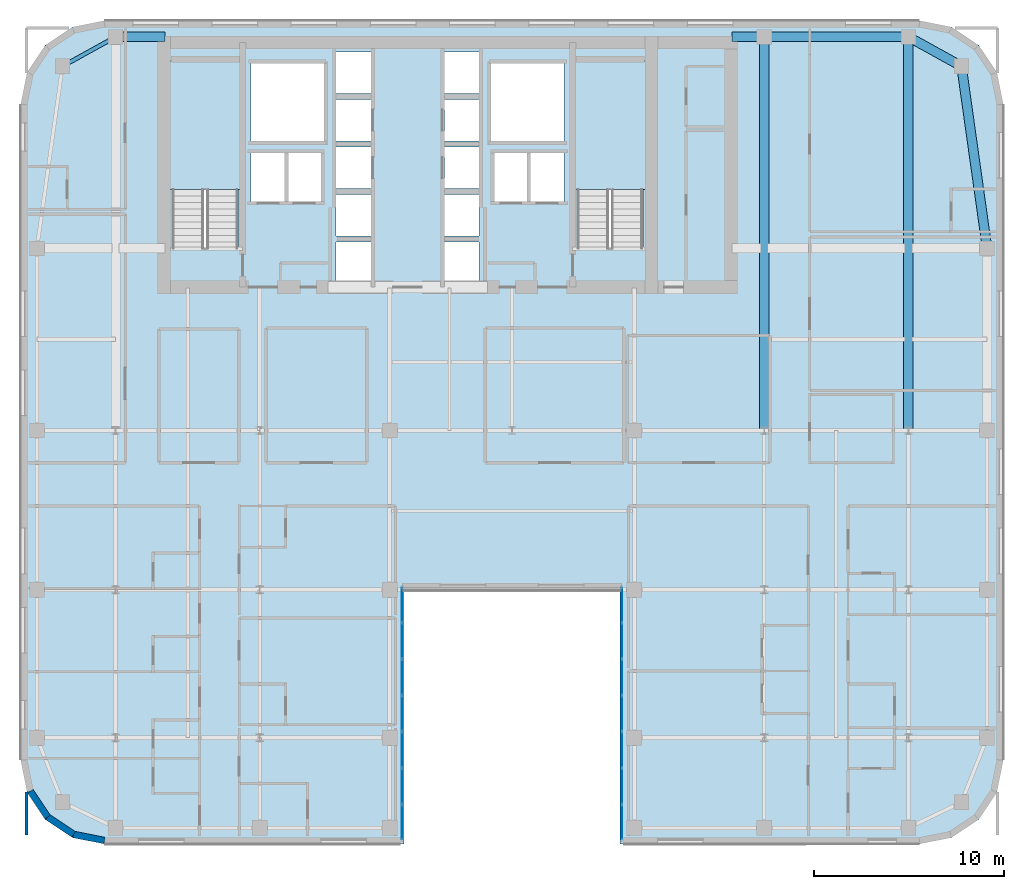
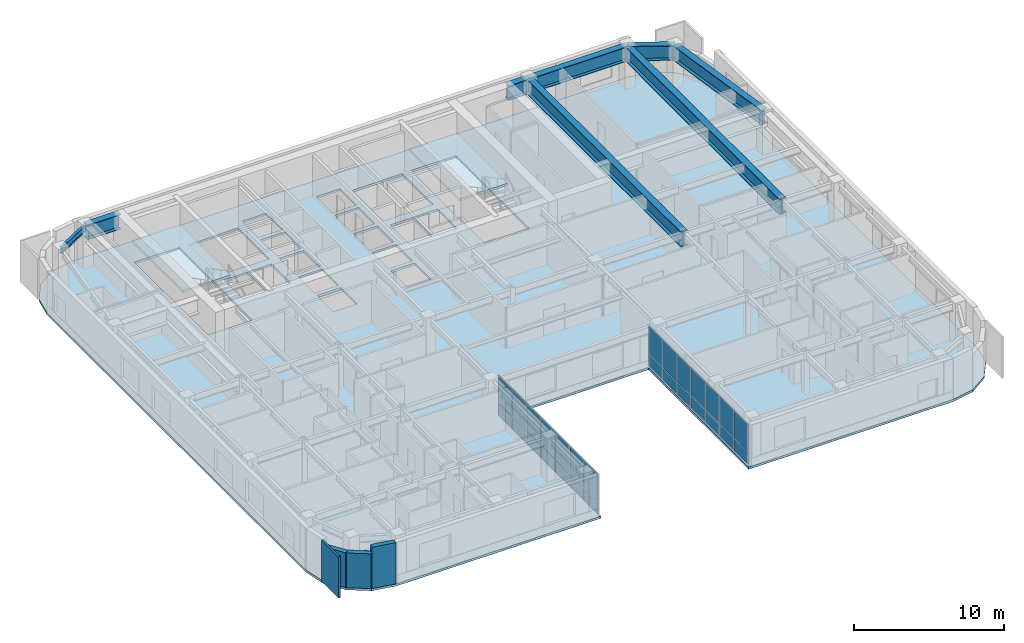
# One storey, part 8 of 20: 28 plates, 8 beams, 4 walls, 3 slabs, 4 elements without a shape of their own.
"""IFC4 building model written with IfcOpenShell, lengths in metres."""

import ifcopenshell
import ifcopenshell.guid

model = None  # the IFC model being written
_history = None  # IfcOwnerHistory: only IFC2X3 demands one
_inside = {}  # id of a spatial element -> (the spatial element, [elements in it])
_under = {}  # id of a project, library or spatial element -> (it, [spatial elements below it])
_declared = {}  # id of a project -> (the project, [libraries it declares])
_typed = {}  # id of a type object -> (the type object, [elements of that type])
_made_of = {}  # id of a material, layer set ... -> (it, [elements and type objects made of it])


def new_model(schema):
    """Start an empty IFC model of exactly this schema.

    Asked for "IFC4X3", IfcOpenShell would pick the latest addendum, in which some entities
    have other attributes; the version numbers below select the first issue.
    IFC2X3 requires an IfcOwnerHistory on every rooted entity: one is made here for all.
    """
    global model, _history
    if schema == "IFC4X3":
        model = ifcopenshell.file(schema_version=(4, 3, 0, 0))
    else:
        model = ifcopenshell.file(schema=schema)
    _inside.clear()
    _under.clear()
    _declared.clear()
    _typed.clear()
    _made_of.clear()
    _history = None
    if model.schema == "IFC2X3":
        org = make("IfcOrganization", Name="unknown")
        user = make(
            "IfcPersonAndOrganization",
            ThePerson=make("IfcPerson", FamilyName="unknown"),
            TheOrganization=org,
        )
        app = make(
            "IfcApplication",
            ApplicationDeveloper=org,
            Version="unknown",
            ApplicationFullName="unknown",
            ApplicationIdentifier="unknown",
        )
        _history = make(
            "IfcOwnerHistory",
            OwningUser=user,
            OwningApplication=app,
            ChangeAction="ADDED",
            CreationDate=0,
        )
    return model


def make(cls, **values):
    """One entity of the class cls with the attributes given. An attribute that is None is left unset."""
    return model.create_entity(
        cls, **{name: value for name, value in values.items() if value is not None}
    )


def rooted(cls, **values):
    """An entity with a GlobalId (a new one), such as an element, a storey or a relation."""
    return make(cls, GlobalId=ifcopenshell.guid.new(), OwnerHistory=_history, **values)


def si_unit(unit_type, name, prefix=None):
    """IfcSIUnit, for example si_unit("LENGTHUNIT", "METRE", prefix="MILLI")."""
    return make("IfcSIUnit", UnitType=unit_type, Prefix=prefix, Name=name)


def assignment(units):
    """IfcUnitAssignment: the units of a project."""
    return None if units is None else make("IfcUnitAssignment", Units=units)


def point(xyz):
    """IfcCartesianPoint."""
    return None if xyz is None else make("IfcCartesianPoint", Coordinates=xyz)


def direction(xyz):
    """IfcDirection."""
    return None if xyz is None else make("IfcDirection", DirectionRatios=xyz)


def frame(location, z_axis=None, x_axis=None):
    """IfcAxis2Placement3D, a coordinate frame: its origin and axes. An axis left out is left unset."""
    return make(
        "IfcAxis2Placement3D",
        Location=point(location),
        Axis=direction(z_axis),
        RefDirection=direction(x_axis),
    )


def frame_2d(location, x_axis=None):
    """IfcAxis2Placement2D, a coordinate frame in the plane: its origin and x axis."""
    return make(
        "IfcAxis2Placement2D", Location=point(location), RefDirection=direction(x_axis)
    )


def origin():
    """The frame at (0, 0, 0) with its axes left unset."""
    return frame((0.0, 0.0, 0.0))


def origin_2d():
    """The frame at (0, 0) in the plane with its x axis left unset."""
    return frame_2d((0.0, 0.0))


def place(relative_to, where):
    """IfcLocalPlacement: puts the frame where relative to a parent placement (None: the world)."""
    return make(
        "IfcLocalPlacement", PlacementRelTo=relative_to, RelativePlacement=where
    )


def context(
    kind, dimensions, precision=None, world=None, true_north=None, identifier=None
):
    """IfcGeometricRepresentationContext, for example the 3D "Model" context."""
    return make(
        "IfcGeometricRepresentationContext",
        ContextIdentifier=identifier,
        ContextType=kind,
        CoordinateSpaceDimension=dimensions,
        Precision=precision,
        WorldCoordinateSystem=world,
        TrueNorth=true_north,
    )


def subcontext(parent, identifier, kind, view, scale=None):
    """IfcGeometricRepresentationSubContext, for example "Body" below "Model"."""
    return make(
        "IfcGeometricRepresentationSubContext",
        ContextIdentifier=identifier,
        ContextType=kind,
        ParentContext=parent,
        TargetScale=scale,
        TargetView=view,
    )


def project(units=None, contexts=None):
    """IfcProject with its units and contexts."""
    return rooted(
        "IfcProject",
        Name="project",
        RepresentationContexts=contexts,
        UnitsInContext=assignment(units),
    )


def spatial(cls, under=None, at=None, **own):
    """A site, building, storey or space (cls), placed at a placement, below another one or the project."""
    s = rooted(cls, ObjectPlacement=at, **own)
    if under is not None:
        _under.setdefault(under.id(), (under, []))[1].append(s)
    return s


def polyline(points):
    """IfcPolyline through the points."""
    return make("IfcPolyline", Points=[point(p) for p in points])


def profile(cls, at=None, kind="AREA", **sizes):
    """A parametric profile (cls). Its sizes go by their IFC names, for example OverallWidth=200.0."""
    return make(cls, ProfileType=kind, Position=at, **sizes)


def rectangle(**sizes):
    """IfcRectangleProfileDef."""
    return profile("IfcRectangleProfileDef", **sizes)


def i_section(**sizes):
    """IfcIShapeProfileDef."""
    return profile("IfcIShapeProfileDef", **sizes)


def outline(outer, holes=None, kind="AREA"):
    """IfcArbitraryClosedProfileDef: a profile drawn as a closed curve; with holes, ...WithVoids."""
    if holes is None:
        return make("IfcArbitraryClosedProfileDef", ProfileType=kind, OuterCurve=outer)
    return make(
        "IfcArbitraryProfileDefWithVoids",
        ProfileType=kind,
        OuterCurve=outer,
        InnerCurves=holes,
    )


def extrude(swept, where, along, depth):
    """IfcExtrudedAreaSolid: the profile swept, set in the frame where, extruded along a direction by depth."""
    return make(
        "IfcExtrudedAreaSolid",
        SweptArea=swept,
        Position=where,
        ExtrudedDirection=direction(along),
        Depth=depth,
    )


def shape(context_of_items, identifier, shape_type, items):
    """IfcShapeRepresentation: the items that make up one representation, for example the "Body"."""
    return make(
        "IfcShapeRepresentation",
        ContextOfItems=context_of_items,
        RepresentationIdentifier=identifier,
        RepresentationType=shape_type,
        Items=items,
    )


def source(mapping_origin, context_of_items, identifier, shape_type, items):
    """IfcRepresentationMap: a shape defined once, which mapped items show again and again."""
    return make(
        "IfcRepresentationMap",
        MappingOrigin=mapping_origin,
        MappedRepresentation=shape(context_of_items, identifier, shape_type, items),
    )


def transform(
    local_origin,
    x_axis=None,
    y_axis=None,
    z_axis=None,
    scale=None,
    scale2=None,
    scale3=None,
    uniform=True,
):
    """IfcCartesianTransformationOperator3D, or its non-uniform kind. x_axis, y_axis, z_axis: its Axis1, 2, 3."""
    if uniform:
        return make(
            "IfcCartesianTransformationOperator3D",
            Axis1=direction(x_axis),
            Axis2=direction(y_axis),
            LocalOrigin=point(local_origin),
            Scale=scale,
            Axis3=direction(z_axis),
        )
    return make(
        "IfcCartesianTransformationOperator3DnonUniform",
        Axis1=direction(x_axis),
        Axis2=direction(y_axis),
        LocalOrigin=point(local_origin),
        Scale=scale,
        Axis3=direction(z_axis),
        Scale2=scale2,
        Scale3=scale3,
    )


def mapped(mapping_source, mapping_target):
    """IfcMappedItem: shows the shape of a source again, moved by a transform."""
    return make(
        "IfcMappedItem", MappingSource=mapping_source, MappingTarget=mapping_target
    )


def material(Name=None, Category=None):
    """IfcMaterial."""
    return make("IfcMaterial", Name=Name, Category=Category)


def layer(
    of_material, thickness, ventilated=None, Name=None, Category=None, Priority=None
):
    """IfcMaterialLayer: one layer of a wall or slab, of a material (None: an air gap)."""
    return make(
        "IfcMaterialLayer",
        Material=of_material,
        LayerThickness=thickness,
        IsVentilated=ventilated,
        Name=Name,
        Category=Category,
        Priority=Priority,
    )


def layer_set(layers, Name=None):
    """IfcMaterialLayerSet."""
    return make("IfcMaterialLayerSet", MaterialLayers=layers, LayerSetName=Name)


def material_profile(
    of_material, cross_section, Name=None, Category=None, Priority=None
):
    """IfcMaterialProfile: a cross section and its material."""
    return make(
        "IfcMaterialProfile",
        Name=Name,
        Material=of_material,
        Profile=cross_section,
        Priority=Priority,
        Category=Category,
    )


def profile_set(profiles, Name=None, composite=None):
    """IfcMaterialProfileSet."""
    return make(
        "IfcMaterialProfileSet",
        Name=Name,
        MaterialProfiles=profiles,
        CompositeProfile=composite,
    )


def made_of(thing, what):
    """Note that an element or type object is made of a material, layer set ...; save() writes the relation."""
    if what is not None:
        _made_of.setdefault(what.id(), (what, []))[1].append(thing)
    return thing


def type_object(cls, material=None, **own):
    """A type object (cls), such as IfcWallType, which elements share."""
    return made_of(rooted(cls, **own), material)


def type_shapes(of_type, sources):
    """Give a type object the sources (RepresentationMaps) that its elements show as mapped items."""
    of_type.RepresentationMaps = sources


def element(
    cls,
    number,
    at=None,
    inside=None,
    cuts=None,
    type_object=None,
    material=None,
    context=None,
    identifier="Body",
    shape_type=None,
    held_by="IfcProductDefinitionShape",
    body=None,
    shapes=None,
    **own,
):
    """One element of the class cls, such as IfcWall. Its Tag is "e" and its number.

    at: its placement. inside: the storey or other place that contains it. cuts: it is an
    opening in that element (IfcRelVoidsElement). A single representation is given by context,
    identifier, shape_type and body (its items); several are given by shapes. held_by: the class
    of the entity that holds the representations. save() writes the other relations.
    """
    e = rooted(cls, Tag="e%d" % number, ObjectPlacement=at, **own)
    if body is not None:
        shapes = [shape(context, identifier, shape_type, body)]
    if shapes is not None:
        e.Representation = make(held_by, Representations=shapes)
    if inside is not None:
        _inside.setdefault(inside.id(), (inside, []))[1].append(e)
    if cuts is not None:
        rooted(
            "IfcRelVoidsElement", RelatingBuildingElement=cuts, RelatedOpeningElement=e
        )
    if type_object is not None:
        _typed.setdefault(type_object.id(), (type_object, []))[1].append(e)
    return made_of(e, material)


def aggregate(whole, parts):
    """IfcRelAggregates: a whole, such as a stair, and the parts it consists of."""
    return rooted("IfcRelAggregates", RelatingObject=whole, RelatedObjects=parts)


def save(model, path):
    """Write the relations noted so far, then the file.

    IfcRelAggregates (storeys below a building ...), IfcRelContainedInSpatialStructure (elements
    in a storey), IfcRelDefinesByType, IfcRelAssociatesMaterial and IfcRelDeclares: one each for
    every whole, place, type object, material and project.
    """
    for whole, parts in _under.values():
        aggregate(whole, parts)
    for where, things in _inside.values():
        rooted(
            "IfcRelContainedInSpatialStructure",
            RelatedElements=things,
            RelatingStructure=where,
        )
    for kind, things in _typed.values():
        rooted("IfcRelDefinesByType", RelatedObjects=things, RelatingType=kind)
    for what, things in _made_of.values():
        rooted("IfcRelAssociatesMaterial", RelatedObjects=things, RelatingMaterial=what)
    for by, libraries in _declared.values():
        rooted("IfcRelDeclares", RelatingContext=by, RelatedDefinitions=libraries)
    model.write(path)


model = new_model("IFC4")

# Units and contexts
model_context = context("Model", 3, precision=1e-05, world=origin(), true_north=direction((0.0, 1.0)))
body_context = subcontext(model_context, "Body", "Model", "MODEL_VIEW")
ifc_project = project(units=[si_unit("LENGTHUNIT", "METRE"), si_unit("AREAUNIT", "SQUARE_METRE"), si_unit("VOLUMEUNIT", "CUBIC_METRE"), si_unit("PLANEANGLEUNIT", "RADIAN"), si_unit("MASSUNIT", "GRAM", prefix="KILO")], contexts=[model_context])

# Site, building, storey
site_placement = place(None, origin())
site = spatial("IfcSite", under=ifc_project, at=site_placement, CompositionType="ELEMENT")
building_placement = place(site_placement, origin())
building = spatial("IfcBuilding", under=site, at=building_placement, Name="Tolvann Quenvar Hotel", CompositionType="ELEMENT")
storey_placement = place(building_placement, frame((0.0, 0.0, 191.10009765625)))
storey = spatial("IfcBuildingStorey", under=building, at=storey_placement, Name="L50", CompositionType="ELEMENT", Elevation=191.10009765625)

# Beams
ifc_material_1 = material(Name="Steel Grade 350", Category="steel")
ifc_material_profile_1 = material_profile(ifc_material_1, i_section(OverallWidth=0.5, OverallDepth=1.199951171875, WebThickness=0.01611328125, FlangeThickness=0.0400390625, at=origin_2d()), Name="1200WB455")
ifc_profile_set_1 = profile_set([ifc_material_profile_1], Name="Steel Grade 350")
beam_type_1 = type_object("IfcBeamType", Name="BM_TG_1200WB455", PredefinedType="USERDEFINED", material=ifc_profile_set_1)
shared_shape_1 = source(origin(), body_context, "Body", "SweptSolid", [
    extrude(i_section(OverallWidth=0.5, OverallDepth=1.199951171875, WebThickness=0.01611328125, FlangeThickness=0.0400390625, at=origin_2d()), origin(), (0.0, 0.0, 1.0), 7.599853515625),
])
beam_1_placement = place(storey_placement, frame((49.39990234375, 45.14990234375, 2.77001953125), z_axis=(-1.0, 0.0, 0.0), x_axis=(0.0, -1.0, 0.0)))
element("IfcBeam", 1, at=beam_1_placement, inside=storey, type_object=beam_type_1, Name="BM-L50-FLK-E4", ObjectType="TRANSFER GIRDER", PredefinedType="USERDEFINED", context=body_context, shape_type="MappedRepresentation", body=[
    mapped(shared_shape_1, transform((0.0, 0.0, 0.0), x_axis=(1.0, 0.0, 0.0), y_axis=(0.0, 1.0, 0.0), z_axis=(0.0, 0.0, 1.0), scale=1.0)),
])
shared_shape_2 = source(origin(), body_context, "Body", "SweptSolid", [
    extrude(i_section(OverallWidth=0.5, OverallDepth=1.199951171875, WebThickness=0.01611328125, FlangeThickness=0.0400390625, at=origin_2d()), origin(), (0.0, 0.0, 1.0), 20.75),
])
for number, where, z_axis, x_axis, name in (
    (2, (41.800048828125, 24.39990234375, 2.77001953125), (0.0, 1.0, 0.0), (-1.0, 0.0, 0.0), "BM-L50-FLK-EH"),
    (3, (49.39990234375, 24.39990234375, 2.77001953125), (0.0, 1.0, 0.0), (-1.0, 0.0, 0.0), "BM-L50-FLK-EI"),
):
    element("IfcBeam", number, at=place(storey_placement, frame(where, z_axis=z_axis, x_axis=x_axis)), inside=storey, type_object=beam_type_1, Name=name, ObjectType="TRANSFER GIRDER", PredefinedType="USERDEFINED", context=body_context, shape_type="MappedRepresentation", body=[
        mapped(shared_shape_2, transform((0.0, 0.0, 0.0), x_axis=(1.0, 0.0, 0.0), y_axis=(0.0, 1.0, 0.0), z_axis=(0.0, 0.0, 1.0), scale=1.0)),
    ])
shared_shape_3 = source(origin(), body_context, "Body", "SweptSolid", [
    extrude(i_section(OverallWidth=0.5, OverallDepth=1.199951171875, WebThickness=0.01611328125, FlangeThickness=0.0400390625, at=origin_2d()), origin(), (0.0, 0.0, 1.0), 2.599853515625),
])
beam_2_placement = place(storey_placement, frame((7.60009765625, 45.14990234375, 2.77001953125), z_axis=(1.0, 0.0, 0.0), x_axis=(0.0, 1.0, 0.0)))
element("IfcBeam", 4, at=beam_2_placement, inside=storey, type_object=beam_type_1, Name="BM-L50-CTW-CN", ObjectType="TRANSFER GIRDER", PredefinedType="USERDEFINED", context=body_context, shape_type="MappedRepresentation", body=[
    mapped(shared_shape_3, transform((0.0, 0.0, 0.0), x_axis=(1.0, 0.0, 0.0), y_axis=(0.0, 1.0, 0.0), z_axis=(0.0, 0.0, 1.0), scale=1.0)),
])
shared_shape_4 = source(origin(), body_context, "Body", "SweptSolid", [
    extrude(i_section(OverallWidth=0.5, OverallDepth=1.199951171875, WebThickness=0.01611328125, FlangeThickness=0.0400390625, at=origin_2d()), origin(), (0.0, 0.0, 1.0), 1.699951171875),
])
beam_3_placement = place(storey_placement, frame((40.10009765625, 45.14990234375, 2.77001953125), z_axis=(1.0, 0.0, 0.0), x_axis=(0.0, 1.0, 0.0)))
element("IfcBeam", 5, at=beam_3_placement, inside=storey, type_object=beam_type_1, Name="BM-L50-CTE-HN", ObjectType="TRANSFER GIRDER", PredefinedType="USERDEFINED", context=body_context, shape_type="MappedRepresentation", body=[
    mapped(shared_shape_4, transform((0.0, 0.0, 0.0), x_axis=(1.0, 0.0, 0.0), y_axis=(0.0, 1.0, 0.0), z_axis=(0.0, 0.0, 1.0), scale=1.0)),
])
ifc_material_profile_2 = material_profile(ifc_material_1, i_section(OverallWidth=0.208984375, OverallDepth=0.528076171875, WebThickness=0.009521484375, FlangeThickness=0.01318359375, FilletRadius=0.013916015625, at=origin_2d()), Name="530UB82")
ifc_profile_set_2 = profile_set([ifc_material_profile_2], Name="Steel Grade 350")
beam_type_2 = type_object("IfcBeamType", Name="BM_SPAND_530UB82", PredefinedType="SPANDREL", material=ifc_profile_set_2)
shared_shape_5 = source(origin(), body_context, "Body", "SweptSolid", [
    extrude(i_section(OverallWidth=0.208984375, OverallDepth=0.528076171875, WebThickness=0.009521484375, FlangeThickness=0.01318359375, FilletRadius=0.013916015625, at=origin_2d()), origin(), (0.0, 0.0, 1.0), 3.200439453125),
])
type_shapes(beam_type_2, [shared_shape_5])
beam_4_placement = place(storey_placement, frame((4.800048828125, 43.60009765625, 3.10595703125), z_axis=(0.87492264453, 0.48426270359, 0.0), x_axis=(-0.48426270359, 0.87492264453, 0.0)))
element("IfcBeam", 6, at=beam_4_placement, inside=storey, type_object=beam_type_2, Name="BM-L50-FLK-W3", PredefinedType="SPANDREL", context=body_context, shape_type="MappedRepresentation", body=[
    mapped(shared_shape_5, transform((0.0, 0.0, 0.0), x_axis=(1.0, 0.0, 0.0), y_axis=(0.0, 1.0, 0.0), z_axis=(0.0, 0.0, 1.0), scale=1.0)),
])
shared_shape_6 = source(origin(), body_context, "Body", "SweptSolid", [
    extrude(i_section(OverallWidth=0.5, OverallDepth=1.199951171875, WebThickness=0.01611328125, FlangeThickness=0.0400390625, at=origin_2d()), origin(), (0.0, 0.0, 1.0), 9.694580078125),
])
beam_5_placement = place(storey_placement, frame((53.550048828125, 34.0, 2.77001953125), z_axis=(-0.139263320262, 0.990255385055, 0.0), x_axis=(-0.990255385055, -0.139263320262, 0.0)))
element("IfcBeam", 7, at=beam_5_placement, inside=storey, type_object=beam_type_1, Name="BM-L50-FLK-E2", ObjectType="TRANSFER GIRDER", PredefinedType="USERDEFINED", context=body_context, shape_type="MappedRepresentation", body=[
    mapped(shared_shape_6, transform((0.0, 0.0, 0.0), x_axis=(1.0, 0.0, 0.0), y_axis=(0.0, 1.0, 0.0), z_axis=(0.0, 0.0, 1.0), scale=1.0)),
])
shared_shape_7 = source(origin(), body_context, "Body", "SweptSolid", [
    extrude(i_section(OverallWidth=0.5, OverallDepth=1.199951171875, WebThickness=0.01611328125, FlangeThickness=0.0400390625, at=origin_2d()), origin(), (0.0, 0.0, 1.0), 3.200439453125),
])
type_shapes(beam_type_1, [shared_shape_1, shared_shape_2, shared_shape_3, shared_shape_4, shared_shape_6, shared_shape_7])
beam_6_placement = place(storey_placement, frame((52.199951171875, 43.60009765625, 2.77001953125), z_axis=(-0.87492264453, 0.48426270359, 0.0), x_axis=(-0.48426270359, -0.87492264453, 0.0)))
element("IfcBeam", 8, at=beam_6_placement, inside=storey, type_object=beam_type_1, Name="BM-L50-FLK-E3", ObjectType="TRANSFER GIRDER", PredefinedType="USERDEFINED", context=body_context, shape_type="MappedRepresentation", body=[
    mapped(shared_shape_7, transform((0.0, 0.0, 0.0), x_axis=(1.0, 0.0, 0.0), y_axis=(0.0, 1.0, 0.0), z_axis=(0.0, 0.0, 1.0), scale=1.0)),
])

# Stair, slab
ifc_material_2 = material(Name="Concrete N40 (40 MPa)", Category="concrete")
stair_type = type_object("IfcStairType", Name="STAIR", PredefinedType="HALF_TURN_STAIR", material=ifc_material_2)
stair_1_placement = place(storey_placement, origin())
stair_1 = element("IfcStair", 9, at=stair_1_placement, inside=storey, type_object=stair_type, Name="L50 ST-C1", PredefinedType="HALF_TURN_STAIR")
ifc_layer_1 = layer(ifc_material_2, 0.199951171875)
ifc_layer_set_1 = layer_set([ifc_layer_1], Name="Concrete N40 (40 MPa)")
slab_type_1 = type_object("IfcSlabType", Name="SLAB_LANDING", PredefinedType="LANDING", material=ifc_layer_set_1)
slab_1_placement = place(storey_placement, frame((0.0, 0.0, 1.574951171875)))
slab_1 = element("IfcSlab", 10, at=slab_1_placement, type_object=slab_type_1, Name="ST-C1 landing 1", PredefinedType="LANDING", context=body_context, shape_type="SweptSolid", body=[
    extrude(outline(polyline([(14.179931640625, 37.10498046875), (14.179931640625, 43.8798828125), (10.469970703125, 43.8798828125), (10.469970703125, 37.10498046875), (14.179931640625, 37.10498046875)])), origin(), (0.0, 0.0, 1.0), 0.199951171875),
])
aggregate(stair_1, [slab_1])

stair_2_placement = place(storey_placement, origin())
stair_2 = element("IfcStair", 11, at=stair_2_placement, inside=storey, type_object=stair_type, Name="L50 ST-C2", PredefinedType="HALF_TURN_STAIR")
slab_2_placement = place(storey_placement, frame((0.0, 0.0, 1.574951171875)))
slab_2 = element("IfcSlab", 12, at=slab_2_placement, type_object=slab_type_1, Name="ST-C2 landing 1", PredefinedType="LANDING", context=body_context, shape_type="SweptSolid", body=[
    extrude(outline(polyline([(35.530029296875, 37.10498046875), (35.530029296875, 43.8798828125), (31.820068359375, 43.8798828125), (31.820068359375, 37.10498046875), (35.530029296875, 37.10498046875)])), origin(), (0.0, 0.0, 1.0), 0.199951171875),
])
aggregate(stair_2, [slab_2])

# Slab
ifc_layer_2 = layer(ifc_material_2, 0.179931640625)
ifc_layer_set_2 = layer_set([ifc_layer_2], Name="Concrete N40 (40 MPa)")
slab_type_2 = type_object("IfcSlabType", Name="SLAB_TWR_180", PredefinedType="FLOOR", material=ifc_layer_set_2)
slab_3_placement = place(storey_placement, frame((0.0, 0.0, -0.18017578125)))
element("IfcSlab", 13, at=slab_3_placement, inside=storey, type_object=slab_type_2, Name="Level L50 Structural Floor Slab", PredefinedType="FLOOR", context=body_context, shape_type="SweptSolid", body=[
    extrude(outline(polyline([(2.60009765625, 7.0), (2.934814453125, 5.316162109375), (3.888671875, 3.888671875), (5.316162109375, 2.934814453125), (7.0, 2.60009765625), (22.800048828125, 2.60009765625), (22.800048828125, 16.0), (34.199951171875, 16.0), (34.199951171875, 2.60009765625), (50.0, 2.60009765625), (51.683837890625, 2.934814453125), (53.111328125, 3.888671875), (54.065185546875, 5.316162109375), (54.39990234375, 7.0), (54.39990234375, 41.60009765625), (54.065185546875, 43.28369140625), (53.111328125, 44.711181640625), (51.683837890625, 45.6650390625), (50.0, 46.0), (7.0, 46.0), (5.316162109375, 45.6650390625), (3.888671875, 44.711181640625), (2.934814453125, 43.28369140625), (2.60009765625, 41.60009765625), (2.60009765625, 7.0)]), holes=[polyline([(31.949951171875, 34.02490234375), (31.949951171875, 43.800048828125), (35.39990234375, 43.800048828125), (35.39990234375, 34.02490234375), (31.949951171875, 34.02490234375)]), polyline([(29.449951171875, 39.02001953125), (31.25, 39.02001953125), (31.25, 36.47998046875), (29.449951171875, 36.47998046875), (29.449951171875, 39.02001953125)]), polyline([(31.25, 43.75), (31.25, 39.64990234375), (27.39990234375, 39.64990234375), (27.39990234375, 43.75), (31.25, 43.75)]), polyline([(27.574951171875, 39.02001953125), (29.324951171875, 39.02001953125), (29.324951171875, 36.47998046875), (27.574951171875, 36.47998046875), (27.574951171875, 39.02001953125)]), polyline([(26.77001953125, 44.340087890625), (26.77001953125, 42.159912109375), (24.929931640625, 42.159912109375), (24.929931640625, 44.340087890625), (26.77001953125, 44.340087890625)]), polyline([(24.929931640625, 41.840087890625), (26.77001953125, 41.840087890625), (26.77001953125, 39.659912109375), (24.929931640625, 39.659912109375), (24.929931640625, 41.840087890625)]), polyline([(24.929931640625, 39.340087890625), (26.77001953125, 39.340087890625), (26.77001953125, 37.159912109375), (24.929931640625, 37.159912109375), (24.929931640625, 39.340087890625)]), polyline([(24.929931640625, 36.840087890625), (26.77001953125, 36.840087890625), (26.77001953125, 34.659912109375), (24.929931640625, 34.659912109375), (24.929931640625, 36.840087890625)]), polyline([(24.929931640625, 34.340087890625), (26.77001953125, 34.340087890625), (26.77001953125, 32.159912109375), (24.929931640625, 32.159912109375), (24.929931640625, 34.340087890625)]), polyline([(21.070068359375, 44.340087890625), (21.070068359375, 42.159912109375), (19.22998046875, 42.159912109375), (19.22998046875, 44.340087890625), (21.070068359375, 44.340087890625)]), polyline([(19.22998046875, 41.840087890625), (21.070068359375, 41.840087890625), (21.070068359375, 39.659912109375), (19.22998046875, 39.659912109375), (19.22998046875, 41.840087890625)]), polyline([(19.22998046875, 39.340087890625), (21.070068359375, 39.340087890625), (21.070068359375, 37.159912109375), (19.22998046875, 37.159912109375), (19.22998046875, 39.340087890625)]), polyline([(19.22998046875, 36.840087890625), (21.070068359375, 36.840087890625), (21.070068359375, 34.659912109375), (19.22998046875, 34.659912109375), (19.22998046875, 36.840087890625)]), polyline([(19.22998046875, 34.340087890625), (21.070068359375, 34.340087890625), (21.070068359375, 32.159912109375), (19.22998046875, 32.159912109375), (19.22998046875, 34.340087890625)]), polyline([(18.60009765625, 43.75), (18.60009765625, 39.64990234375), (14.75, 39.64990234375), (14.75, 43.75), (18.60009765625, 43.75)]), polyline([(16.675048828125, 39.02001953125), (18.425048828125, 39.02001953125), (18.425048828125, 36.47998046875), (16.675048828125, 36.47998046875), (16.675048828125, 39.02001953125)]), polyline([(14.75, 39.02001953125), (16.550048828125, 39.02001953125), (16.550048828125, 36.47998046875), (14.75, 36.47998046875), (14.75, 39.02001953125)]), polyline([(10.60009765625, 34.02490234375), (10.60009765625, 43.800048828125), (14.050048828125, 43.800048828125), (14.050048828125, 34.02490234375), (10.60009765625, 34.02490234375)])]), origin(), (0.0, 0.0, 1.0), 0.18017578125),
])

# Curtain wall, plates
ifc_material_3 = material(Name="Thermally broken anodised architectural aluminium 6063-T6 and laminated low-E glass", Category="aluminium")
ifc_layer_3 = layer(ifc_material_3, 0.179931640625)
ifc_layer_set_3 = layer_set([ifc_layer_3], Name="Thermally broken anodised architectural aluminium 6063-T6 and laminated low-E glass")
curtain_wall_type = type_object("IfcCurtainWallType", Name="CW_SYS_SLOT_03", PredefinedType="USERDEFINED", material=ifc_layer_set_3)
curtain_wall_1_placement = place(storey_placement, origin())
curtain_wall_1 = element("IfcCurtainWall", 14, at=curtain_wall_1_placement, inside=storey, type_object=curtain_wall_type, Name="Curtain Wall CW-SLOT-03 (CWR-L50-E05)", ObjectType="UNITISED CURTAIN WALL", PredefinedType="USERDEFINED")
ifc_material_4 = material(Name="Low-iron laminated double glazing with solar-control coating", Category="glass")
ifc_layer_4 = layer(ifc_material_4, 0.028076171875)
ifc_layer_set_4 = layer_set([ifc_layer_4], Name="Low-iron laminated double glazing with solar-control coating")
plate_type = type_object("IfcPlateType", Name="CW_PAN_VISION_28", PredefinedType="CURTAIN_PANEL", material=ifc_layer_set_4)
shared_shape_8 = source(origin(), body_context, "Body", "SweptSolid", [
    extrude(rectangle(XDim=1.809326171875, YDim=0.028076171875, at=origin_2d()), origin(), (0.0, 0.0, 1.0), 0.9599609375),
])
plate_1_placement = place(storey_placement, frame((22.7099609375, 3.749755859375, 0.059814453125), z_axis=(0.0, 0.0, 1.0), x_axis=(0.0, 1.0, 0.0)))
plate_1 = element("IfcPlate", 15, at=plate_1_placement, type_object=plate_type, Name="CW-SLOT-03 panel 1.1", PredefinedType="CURTAIN_PANEL", context=body_context, shape_type="MappedRepresentation", body=[
    mapped(shared_shape_8, transform((0.0, 0.0, 0.0), x_axis=(1.0, 0.0, 0.0), y_axis=(0.0, 1.0, 0.0), z_axis=(0.0, 0.0, 1.0), scale=1.0)),
])
plate_2_placement = place(storey_placement, frame((22.7099609375, 15.200439453125, 0.059814453125), z_axis=(0.0, 0.0, 1.0), x_axis=(0.0, 1.0, 0.0)))
plate_2 = element("IfcPlate", 16, at=plate_2_placement, type_object=plate_type, Name="CW-SLOT-03 panel 7.1", PredefinedType="CURTAIN_PANEL", context=body_context, shape_type="MappedRepresentation", body=[
    mapped(shared_shape_8, transform((0.0, 0.0, 0.0), x_axis=(1.0, 0.0, 0.0), y_axis=(0.0, 1.0, 0.0), z_axis=(0.0, 0.0, 1.0), scale=1.0)),
])

curtain_wall_2_placement = place(storey_placement, origin())
curtain_wall_2 = element("IfcCurtainWall", 17, at=curtain_wall_2_placement, inside=storey, type_object=curtain_wall_type, Name="Curtain Wall CW-SLOT-03 (CWR-L50-E07)", ObjectType="UNITISED CURTAIN WALL", PredefinedType="USERDEFINED")
plate_3_placement = place(storey_placement, frame((34.2900390625, 15.200439453125, 0.059814453125), z_axis=(0.0, 0.0, 1.0), x_axis=(0.0, -1.0, 0.0)))
plate_3 = element("IfcPlate", 18, at=plate_3_placement, type_object=plate_type, Name="CW-SLOT-03 panel 1.1", PredefinedType="CURTAIN_PANEL", context=body_context, shape_type="MappedRepresentation", body=[
    mapped(shared_shape_8, transform((0.0, 0.0, 0.0), x_axis=(1.0, 0.0, 0.0), y_axis=(0.0, 1.0, 0.0), z_axis=(0.0, 0.0, 1.0), scale=1.0)),
])
plate_4_placement = place(storey_placement, frame((34.2900390625, 3.749755859375, 0.059814453125), z_axis=(0.0, 0.0, 1.0), x_axis=(0.0, -1.0, 0.0)))
plate_4 = element("IfcPlate", 19, at=plate_4_placement, type_object=plate_type, Name="CW-SLOT-03 panel 7.1", PredefinedType="CURTAIN_PANEL", context=body_context, shape_type="MappedRepresentation", body=[
    mapped(shared_shape_8, transform((0.0, 0.0, 0.0), x_axis=(1.0, 0.0, 0.0), y_axis=(0.0, 1.0, 0.0), z_axis=(0.0, 0.0, 1.0), scale=1.0)),
])

# Plate
shared_shape_9 = source(origin(), body_context, "Body", "SweptSolid", [
    extrude(rectangle(XDim=1.809326171875, YDim=0.028076171875, at=origin_2d()), origin(), (0.0, 0.0, 1.0), 2.22998046875),
])
plate_5_placement = place(storey_placement, frame((22.7099609375, 3.749755859375, 1.079833984375), z_axis=(0.0, 0.0, 1.0), x_axis=(0.0, 1.0, 0.0)))
plate_5 = element("IfcPlate", 20, at=plate_5_placement, type_object=plate_type, Name="CW-SLOT-03 panel 1.2", PredefinedType="CURTAIN_PANEL", context=body_context, shape_type="MappedRepresentation", body=[
    mapped(shared_shape_9, transform((0.0, 0.0, 0.0), x_axis=(1.0, 0.0, 0.0), y_axis=(0.0, 1.0, 0.0), z_axis=(0.0, 0.0, 1.0), scale=1.0)),
])

plate_6_placement = place(storey_placement, frame((22.7099609375, 15.200439453125, 1.079833984375), z_axis=(0.0, 0.0, 1.0), x_axis=(0.0, 1.0, 0.0)))
plate_6 = element("IfcPlate", 21, at=plate_6_placement, type_object=plate_type, Name="CW-SLOT-03 panel 7.2", PredefinedType="CURTAIN_PANEL", context=body_context, shape_type="MappedRepresentation", body=[
    mapped(shared_shape_9, transform((0.0, 0.0, 0.0), x_axis=(1.0, 0.0, 0.0), y_axis=(0.0, 1.0, 0.0), z_axis=(0.0, 0.0, 1.0), scale=1.0)),
])

plate_7_placement = place(storey_placement, frame((34.2900390625, 15.200439453125, 1.079833984375), z_axis=(0.0, 0.0, 1.0), x_axis=(0.0, -1.0, 0.0)))
plate_7 = element("IfcPlate", 22, at=plate_7_placement, type_object=plate_type, Name="CW-SLOT-03 panel 1.2", PredefinedType="CURTAIN_PANEL", context=body_context, shape_type="MappedRepresentation", body=[
    mapped(shared_shape_9, transform((0.0, 0.0, 0.0), x_axis=(1.0, 0.0, 0.0), y_axis=(0.0, 1.0, 0.0), z_axis=(0.0, 0.0, 1.0), scale=1.0)),
])

plate_8_placement = place(storey_placement, frame((34.2900390625, 3.749755859375, 1.079833984375), z_axis=(0.0, 0.0, 1.0), x_axis=(0.0, -1.0, 0.0)))
plate_8 = element("IfcPlate", 23, at=plate_8_placement, type_object=plate_type, Name="CW-SLOT-03 panel 7.2", PredefinedType="CURTAIN_PANEL", context=body_context, shape_type="MappedRepresentation", body=[
    mapped(shared_shape_9, transform((0.0, 0.0, 0.0), x_axis=(1.0, 0.0, 0.0), y_axis=(0.0, 1.0, 0.0), z_axis=(0.0, 0.0, 1.0), scale=1.0)),
])

shared_shape_10 = source(origin(), body_context, "Body", "SweptSolid", [
    extrude(rectangle(XDim=1.84423828125, YDim=0.028076171875, at=origin_2d()), origin(), (0.0, 0.0, 1.0), 0.9599609375),
])
plate_9_placement = place(storey_placement, frame((22.7099609375, 5.646484375, 0.059814453125), z_axis=(0.0, 0.0, 1.0), x_axis=(0.0, 1.0, 0.0)))
plate_9 = element("IfcPlate", 24, at=plate_9_placement, type_object=plate_type, Name="CW-SLOT-03 panel 2.1", PredefinedType="CURTAIN_PANEL", context=body_context, shape_type="MappedRepresentation", body=[
    mapped(shared_shape_10, transform((0.0, 0.0, 0.0), x_axis=(1.0, 0.0, 0.0), y_axis=(0.0, 1.0, 0.0), z_axis=(0.0, 0.0, 1.0), scale=1.0)),
])

plate_10_placement = place(storey_placement, frame((22.7099609375, 7.560791015625, 0.059814453125), z_axis=(0.0, 0.0, 1.0), x_axis=(0.0, 1.0, 0.0)))
plate_10 = element("IfcPlate", 25, at=plate_10_placement, type_object=plate_type, Name="CW-SLOT-03 panel 3.1", PredefinedType="CURTAIN_PANEL", context=body_context, shape_type="MappedRepresentation", body=[
    mapped(shared_shape_10, transform((0.0, 0.0, 0.0), x_axis=(1.0, 0.0, 0.0), y_axis=(0.0, 1.0, 0.0), z_axis=(0.0, 0.0, 1.0), scale=1.0)),
])

plate_11_placement = place(storey_placement, frame((22.7099609375, 9.47509765625, 0.059814453125), z_axis=(0.0, 0.0, 1.0), x_axis=(0.0, 1.0, 0.0)))
plate_11 = element("IfcPlate", 26, at=plate_11_placement, type_object=plate_type, Name="CW-SLOT-03 panel 4.1", PredefinedType="CURTAIN_PANEL", context=body_context, shape_type="MappedRepresentation", body=[
    mapped(shared_shape_10, transform((0.0, 0.0, 0.0), x_axis=(1.0, 0.0, 0.0), y_axis=(0.0, 1.0, 0.0), z_axis=(0.0, 0.0, 1.0), scale=1.0)),
])

plate_12_placement = place(storey_placement, frame((22.7099609375, 11.389404296875, 0.059814453125), z_axis=(0.0, 0.0, 1.0), x_axis=(0.0, 1.0, 0.0)))
plate_12 = element("IfcPlate", 27, at=plate_12_placement, type_object=plate_type, Name="CW-SLOT-03 panel 5.1", PredefinedType="CURTAIN_PANEL", context=body_context, shape_type="MappedRepresentation", body=[
    mapped(shared_shape_10, transform((0.0, 0.0, 0.0), x_axis=(1.0, 0.0, 0.0), y_axis=(0.0, 1.0, 0.0), z_axis=(0.0, 0.0, 1.0), scale=1.0)),
])

plate_13_placement = place(storey_placement, frame((22.7099609375, 13.303466796875, 0.059814453125), z_axis=(0.0, 0.0, 1.0), x_axis=(0.0, 1.0, 0.0)))
plate_13 = element("IfcPlate", 28, at=plate_13_placement, type_object=plate_type, Name="CW-SLOT-03 panel 6.1", PredefinedType="CURTAIN_PANEL", context=body_context, shape_type="MappedRepresentation", body=[
    mapped(shared_shape_10, transform((0.0, 0.0, 0.0), x_axis=(1.0, 0.0, 0.0), y_axis=(0.0, 1.0, 0.0), z_axis=(0.0, 0.0, 1.0), scale=1.0)),
])

plate_14_placement = place(storey_placement, frame((34.2900390625, 13.303466796875, 0.059814453125), z_axis=(0.0, 0.0, 1.0), x_axis=(0.0, -1.0, 0.0)))
plate_14 = element("IfcPlate", 29, at=plate_14_placement, type_object=plate_type, Name="CW-SLOT-03 panel 2.1", PredefinedType="CURTAIN_PANEL", context=body_context, shape_type="MappedRepresentation", body=[
    mapped(shared_shape_10, transform((0.0, 0.0, 0.0), x_axis=(1.0, 0.0, 0.0), y_axis=(0.0, 1.0, 0.0), z_axis=(0.0, 0.0, 1.0), scale=1.0)),
])

plate_15_placement = place(storey_placement, frame((34.2900390625, 11.389404296875, 0.059814453125), z_axis=(0.0, 0.0, 1.0), x_axis=(0.0, -1.0, 0.0)))
plate_15 = element("IfcPlate", 30, at=plate_15_placement, type_object=plate_type, Name="CW-SLOT-03 panel 3.1", PredefinedType="CURTAIN_PANEL", context=body_context, shape_type="MappedRepresentation", body=[
    mapped(shared_shape_10, transform((0.0, 0.0, 0.0), x_axis=(1.0, 0.0, 0.0), y_axis=(0.0, 1.0, 0.0), z_axis=(0.0, 0.0, 1.0), scale=1.0)),
])

plate_16_placement = place(storey_placement, frame((34.2900390625, 9.47509765625, 0.059814453125), z_axis=(0.0, 0.0, 1.0), x_axis=(0.0, -1.0, 0.0)))
plate_16 = element("IfcPlate", 31, at=plate_16_placement, type_object=plate_type, Name="CW-SLOT-03 panel 4.1", PredefinedType="CURTAIN_PANEL", context=body_context, shape_type="MappedRepresentation", body=[
    mapped(shared_shape_10, transform((0.0, 0.0, 0.0), x_axis=(1.0, 0.0, 0.0), y_axis=(0.0, 1.0, 0.0), z_axis=(0.0, 0.0, 1.0), scale=1.0)),
])

plate_17_placement = place(storey_placement, frame((34.2900390625, 7.560791015625, 0.059814453125), z_axis=(0.0, 0.0, 1.0), x_axis=(0.0, -1.0, 0.0)))
plate_17 = element("IfcPlate", 32, at=plate_17_placement, type_object=plate_type, Name="CW-SLOT-03 panel 5.1", PredefinedType="CURTAIN_PANEL", context=body_context, shape_type="MappedRepresentation", body=[
    mapped(shared_shape_10, transform((0.0, 0.0, 0.0), x_axis=(1.0, 0.0, 0.0), y_axis=(0.0, 1.0, 0.0), z_axis=(0.0, 0.0, 1.0), scale=1.0)),
])

plate_18_placement = place(storey_placement, frame((34.2900390625, 5.646484375, 0.059814453125), z_axis=(0.0, 0.0, 1.0), x_axis=(0.0, -1.0, 0.0)))
plate_18 = element("IfcPlate", 33, at=plate_18_placement, type_object=plate_type, Name="CW-SLOT-03 panel 6.1", PredefinedType="CURTAIN_PANEL", context=body_context, shape_type="MappedRepresentation", body=[
    mapped(shared_shape_10, transform((0.0, 0.0, 0.0), x_axis=(1.0, 0.0, 0.0), y_axis=(0.0, 1.0, 0.0), z_axis=(0.0, 0.0, 1.0), scale=1.0)),
])

shared_shape_11 = source(origin(), body_context, "Body", "SweptSolid", [
    extrude(rectangle(XDim=1.84423828125, YDim=0.028076171875, at=origin_2d()), origin(), (0.0, 0.0, 1.0), 2.22998046875),
])
type_shapes(plate_type, [shared_shape_8, shared_shape_9, shared_shape_10, shared_shape_11])
plate_19_placement = place(storey_placement, frame((22.7099609375, 5.646484375, 1.079833984375), z_axis=(0.0, 0.0, 1.0), x_axis=(0.0, 1.0, 0.0)))
plate_19 = element("IfcPlate", 34, at=plate_19_placement, type_object=plate_type, Name="CW-SLOT-03 panel 2.2", PredefinedType="CURTAIN_PANEL", context=body_context, shape_type="MappedRepresentation", body=[
    mapped(shared_shape_11, transform((0.0, 0.0, 0.0), x_axis=(1.0, 0.0, 0.0), y_axis=(0.0, 1.0, 0.0), z_axis=(0.0, 0.0, 1.0), scale=1.0)),
])

plate_20_placement = place(storey_placement, frame((22.7099609375, 7.560791015625, 1.079833984375), z_axis=(0.0, 0.0, 1.0), x_axis=(0.0, 1.0, 0.0)))
plate_20 = element("IfcPlate", 35, at=plate_20_placement, type_object=plate_type, Name="CW-SLOT-03 panel 3.2", PredefinedType="CURTAIN_PANEL", context=body_context, shape_type="MappedRepresentation", body=[
    mapped(shared_shape_11, transform((0.0, 0.0, 0.0), x_axis=(1.0, 0.0, 0.0), y_axis=(0.0, 1.0, 0.0), z_axis=(0.0, 0.0, 1.0), scale=1.0)),
])

plate_21_placement = place(storey_placement, frame((22.7099609375, 9.47509765625, 1.079833984375), z_axis=(0.0, 0.0, 1.0), x_axis=(0.0, 1.0, 0.0)))
plate_21 = element("IfcPlate", 36, at=plate_21_placement, type_object=plate_type, Name="CW-SLOT-03 panel 4.2", PredefinedType="CURTAIN_PANEL", context=body_context, shape_type="MappedRepresentation", body=[
    mapped(shared_shape_11, transform((0.0, 0.0, 0.0), x_axis=(1.0, 0.0, 0.0), y_axis=(0.0, 1.0, 0.0), z_axis=(0.0, 0.0, 1.0), scale=1.0)),
])

plate_22_placement = place(storey_placement, frame((22.7099609375, 11.389404296875, 1.079833984375), z_axis=(0.0, 0.0, 1.0), x_axis=(0.0, 1.0, 0.0)))
plate_22 = element("IfcPlate", 37, at=plate_22_placement, type_object=plate_type, Name="CW-SLOT-03 panel 5.2", PredefinedType="CURTAIN_PANEL", context=body_context, shape_type="MappedRepresentation", body=[
    mapped(shared_shape_11, transform((0.0, 0.0, 0.0), x_axis=(1.0, 0.0, 0.0), y_axis=(0.0, 1.0, 0.0), z_axis=(0.0, 0.0, 1.0), scale=1.0)),
])

plate_23_placement = place(storey_placement, frame((22.7099609375, 13.303466796875, 1.079833984375), z_axis=(0.0, 0.0, 1.0), x_axis=(0.0, 1.0, 0.0)))
plate_23 = element("IfcPlate", 38, at=plate_23_placement, type_object=plate_type, Name="CW-SLOT-03 panel 6.2", PredefinedType="CURTAIN_PANEL", context=body_context, shape_type="MappedRepresentation", body=[
    mapped(shared_shape_11, transform((0.0, 0.0, 0.0), x_axis=(1.0, 0.0, 0.0), y_axis=(0.0, 1.0, 0.0), z_axis=(0.0, 0.0, 1.0), scale=1.0)),
])

aggregate(curtain_wall_1, [plate_1, plate_5, plate_9, plate_19, plate_10, plate_20, plate_11, plate_21, plate_12, plate_22, plate_13, plate_23, plate_2, plate_6])

plate_24_placement = place(storey_placement, frame((34.2900390625, 13.303466796875, 1.079833984375), z_axis=(0.0, 0.0, 1.0), x_axis=(0.0, -1.0, 0.0)))
plate_24 = element("IfcPlate", 39, at=plate_24_placement, type_object=plate_type, Name="CW-SLOT-03 panel 2.2", PredefinedType="CURTAIN_PANEL", context=body_context, shape_type="MappedRepresentation", body=[
    mapped(shared_shape_11, transform((0.0, 0.0, 0.0), x_axis=(1.0, 0.0, 0.0), y_axis=(0.0, 1.0, 0.0), z_axis=(0.0, 0.0, 1.0), scale=1.0)),
])

plate_25_placement = place(storey_placement, frame((34.2900390625, 11.389404296875, 1.079833984375), z_axis=(0.0, 0.0, 1.0), x_axis=(0.0, -1.0, 0.0)))
plate_25 = element("IfcPlate", 40, at=plate_25_placement, type_object=plate_type, Name="CW-SLOT-03 panel 3.2", PredefinedType="CURTAIN_PANEL", context=body_context, shape_type="MappedRepresentation", body=[
    mapped(shared_shape_11, transform((0.0, 0.0, 0.0), x_axis=(1.0, 0.0, 0.0), y_axis=(0.0, 1.0, 0.0), z_axis=(0.0, 0.0, 1.0), scale=1.0)),
])

plate_26_placement = place(storey_placement, frame((34.2900390625, 9.47509765625, 1.079833984375), z_axis=(0.0, 0.0, 1.0), x_axis=(0.0, -1.0, 0.0)))
plate_26 = element("IfcPlate", 41, at=plate_26_placement, type_object=plate_type, Name="CW-SLOT-03 panel 4.2", PredefinedType="CURTAIN_PANEL", context=body_context, shape_type="MappedRepresentation", body=[
    mapped(shared_shape_11, transform((0.0, 0.0, 0.0), x_axis=(1.0, 0.0, 0.0), y_axis=(0.0, 1.0, 0.0), z_axis=(0.0, 0.0, 1.0), scale=1.0)),
])

plate_27_placement = place(storey_placement, frame((34.2900390625, 7.560791015625, 1.079833984375), z_axis=(0.0, 0.0, 1.0), x_axis=(0.0, -1.0, 0.0)))
plate_27 = element("IfcPlate", 42, at=plate_27_placement, type_object=plate_type, Name="CW-SLOT-03 panel 5.2", PredefinedType="CURTAIN_PANEL", context=body_context, shape_type="MappedRepresentation", body=[
    mapped(shared_shape_11, transform((0.0, 0.0, 0.0), x_axis=(1.0, 0.0, 0.0), y_axis=(0.0, 1.0, 0.0), z_axis=(0.0, 0.0, 1.0), scale=1.0)),
])

plate_28_placement = place(storey_placement, frame((34.2900390625, 5.646484375, 1.079833984375), z_axis=(0.0, 0.0, 1.0), x_axis=(0.0, -1.0, 0.0)))
plate_28 = element("IfcPlate", 43, at=plate_28_placement, type_object=plate_type, Name="CW-SLOT-03 panel 6.2", PredefinedType="CURTAIN_PANEL", context=body_context, shape_type="MappedRepresentation", body=[
    mapped(shared_shape_11, transform((0.0, 0.0, 0.0), x_axis=(1.0, 0.0, 0.0), y_axis=(0.0, 1.0, 0.0), z_axis=(0.0, 0.0, 1.0), scale=1.0)),
])

aggregate(curtain_wall_2, [plate_3, plate_7, plate_14, plate_24, plate_15, plate_25, plate_16, plate_26, plate_17, plate_27, plate_18, plate_28, plate_4, plate_8])

# Walls
ifc_material_5 = material(Name="Kiln-fired red and buff architectural clay brickwork and terracotta masonry", Category="masonry")
ifc_layer_5 = layer(ifc_material_5, 0.35009765625)
ifc_layer_set_5 = layer_set([ifc_layer_5], Name="Kiln-fired red and buff architectural clay brickwork and terracotta masonry")
wall_type_1 = type_object("IfcWallType", Name="WALL_EXT_BRICK_350", PredefinedType="SOLIDWALL", material=ifc_layer_set_5)
for number, where, z_axis, x_axis, name in (
    (44, (3.099609375, 5.384521484375, 0.0), (0.0, 0.0, 1.0), (0.555623290322, -0.831434158098, 0.0), "Exterior Chicago Brick Wall L50-E01"),
    (45, (4.014892578125, 4.014892578125, 0.0), (0.0, 0.0, 1.0), (0.831434158098, -0.555623290322, 0.0), "Exterior Chicago Brick Wall L50-E02"),
):
    element("IfcWall", number, at=place(storey_placement, frame(where, z_axis=z_axis, x_axis=x_axis)), inside=storey, type_object=wall_type_1, Name=name, PredefinedType="SOLIDWALL", context=body_context, shape_type="SweptSolid", body=[
        extrude(rectangle(XDim=1.647216796875, YDim=0.35009765625, at=frame_2d((0.82373046875, 0.0))), origin(), (0.0, 0.0, 1.0), 2.831787109375),
    ])
wall_1_placement = place(storey_placement, frame((5.384521484375, 3.099609375, 0.0), z_axis=(0.0, 0.0, 1.0), x_axis=(0.980788844421, -0.195072403631, 0.0)))
element("IfcWall", 46, at=wall_1_placement, inside=storey, type_object=wall_type_1, Name="Exterior Chicago Brick Wall L50-E03", PredefinedType="SOLIDWALL", context=body_context, shape_type="SweptSolid", body=[
    extrude(rectangle(XDim=1.66455078125, YDim=0.35009765625, at=frame_2d((0.832275390625, 0.0))), origin(), (0.0, 0.0, 1.0), 3.369873046875),
])
ifc_material_6 = material(Name="Acoustic twin-stud fire-rated gypsum plasterboard partition")
ifc_layer_6 = layer(ifc_material_6, 0.14990234375)
ifc_layer_set_6 = layer_set([ifc_layer_6], Name="Acoustic twin-stud fire-rated gypsum plasterboard partition")
wall_type_2 = type_object("IfcWallType", Name="WALL_PART_SUITE_150", PredefinedType="PARTITIONING", material=ifc_layer_set_6)
wall_2_placement = place(storey_placement, frame((2.89990234375, 3.080078125, 0.0), z_axis=(0.0, 0.0, 1.0), x_axis=(0.0, 1.0, 0.0)))
element("IfcWall", 47, at=wall_2_placement, inside=storey, type_object=wall_type_2, Name="Interior Partition PT-SPC-L50-RM-WO01-E6", PredefinedType="PARTITIONING", context=body_context, shape_type="SweptSolid", body=[
    extrude(rectangle(XDim=2.264892578125, YDim=0.14990234375, at=frame_2d((1.13232421875, 0.0))), origin(), (0.0, 0.0, 1.0), 3.369873046875),
])

save(model, "model.ifc")
